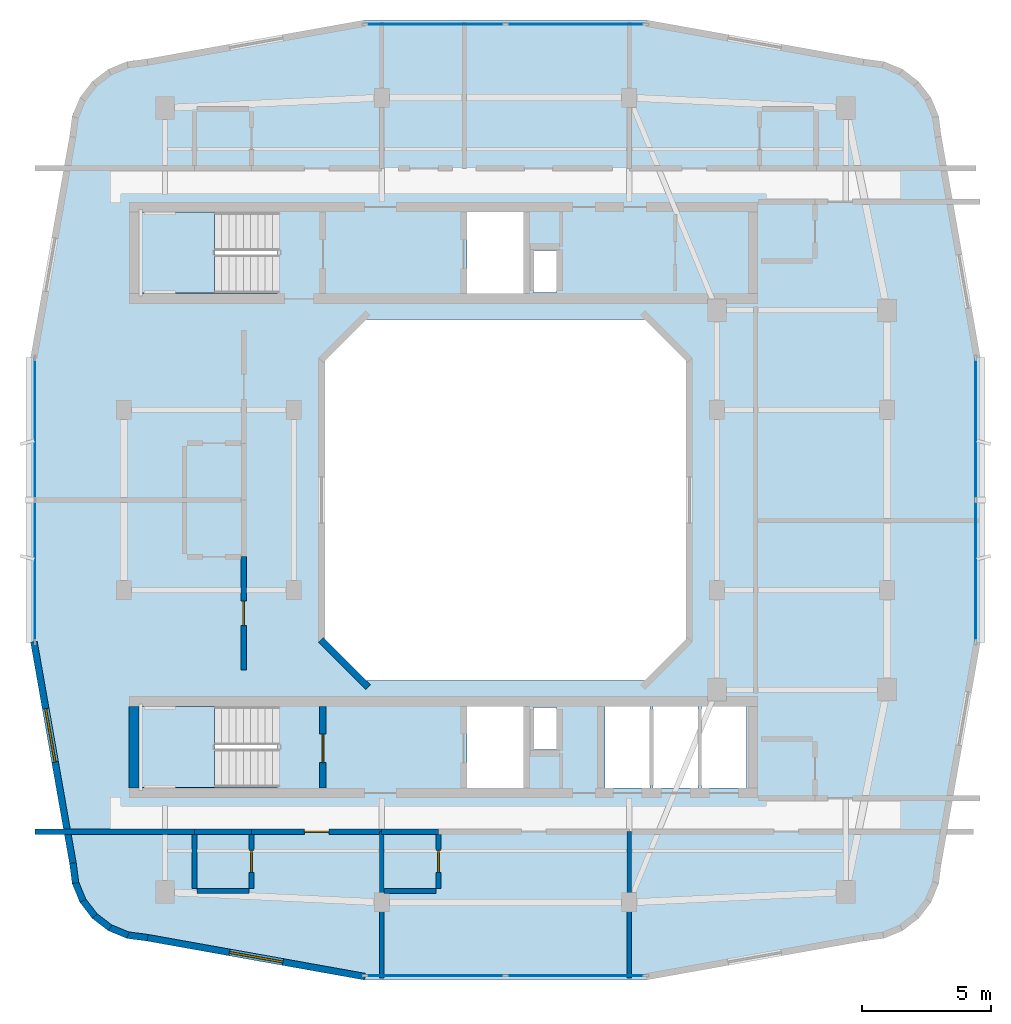
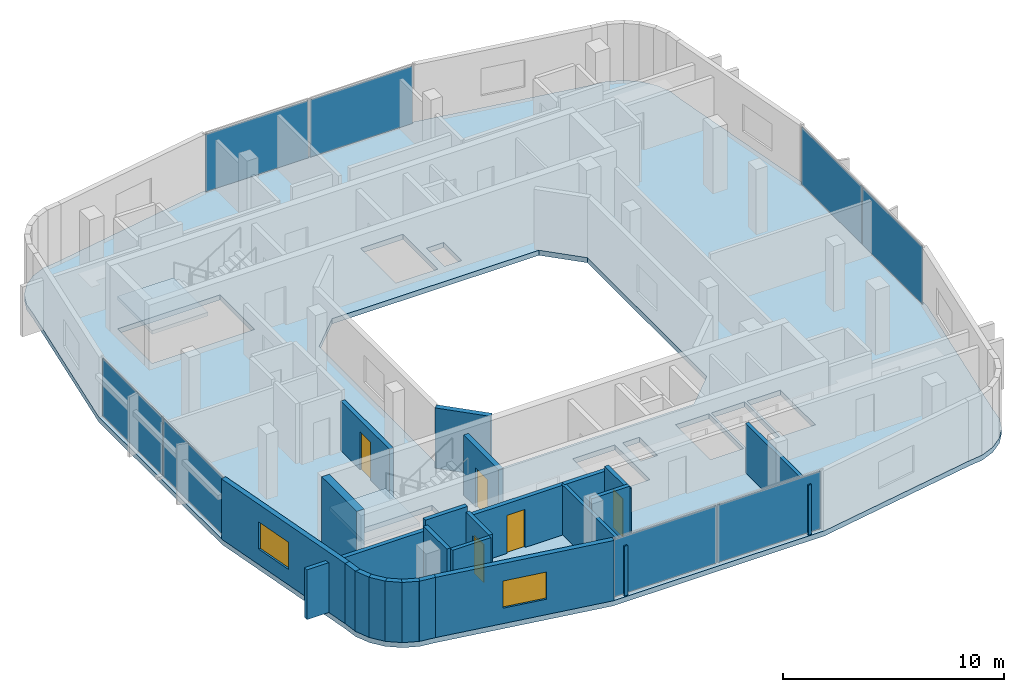
# One storey, part 4 of 10: 23 walls, 8 plates, 5 doors, 3 slabs, 2 windows, 7 openings, 6 elements without a shape of their own.
"""IFC4 building model written with IfcOpenShell, lengths in metres."""

from ifc_helpers import new_model, si_unit, derived_unit, direction, frame, frame_2d, origin, origin_2d, place, context, subcontext, project, spatial, polyline, rectangle, outline, extrude, material, layer, layer_set, type_object, element, fill, aggregate, save


model = new_model("IFC4")

# Units and contexts
model_context = context("Model", 3, precision=1e-05, world=origin(), true_north=direction((0.0, 1.0)))
body_context = subcontext(model_context, "Body", "Model", "MODEL_VIEW")
ifc_project = project(units=[si_unit("LENGTHUNIT", "METRE"), si_unit("AREAUNIT", "SQUARE_METRE"), si_unit("VOLUMEUNIT", "CUBIC_METRE"), si_unit("PLANEANGLEUNIT", "RADIAN"), si_unit("MASSUNIT", "GRAM", prefix="KILO"), derived_unit("THERMALTRANSMITTANCEUNIT", [(si_unit("POWERUNIT", "WATT"), 1), (si_unit("LENGTHUNIT", "METRE"), -2), (si_unit("THERMODYNAMICTEMPERATUREUNIT", "KELVIN"), -1)])], contexts=[model_context])

# Site, building, storey
site_placement = place(None, origin())
site = spatial("IfcSite", under=ifc_project, at=site_placement, CompositionType="ELEMENT")
building_placement = place(site_placement, origin())
building = spatial("IfcBuilding", under=site, at=building_placement, Name="Kivonza Crest Hotel", CompositionType="ELEMENT")
storey_placement = place(building_placement, frame((0.0, 0.0, 246.800048828125)))
storey = spatial("IfcBuildingStorey", under=building, at=storey_placement, Name="L67", CompositionType="ELEMENT", Elevation=246.800048828125)

# Curtain wall, plates
ifc_material_1 = material(Name="Anodised bronze aluminium and low-E double glazing", Category="aluminium")
ifc_layer_1 = layer(ifc_material_1, 0.179931640625)
ifc_layer_set_1 = layer_set([ifc_layer_1], Name="Anodised bronze aluminium and low-E double glazing")
curtain_wall_type = type_object("IfcCurtainWallType", Name="CW-SYS-3", PredefinedType="NOTDEFINED", material=ifc_layer_set_1)
curtain_wall_1_placement = place(storey_placement, origin())
curtain_wall_1 = element("IfcCurtainWall", 1, at=curtain_wall_1_placement, inside=storey, type_object=curtain_wall_type, Name="L67 unitised curtain wall CW-T1-L67-08", PredefinedType="NOTDEFINED")
ifc_material_2 = material(Name="Acoustic triple-laminated low-E glazing", Category="glass")
ifc_layer_2 = layer(ifc_material_2, 0.035888671875)
ifc_layer_set_2 = layer_set([ifc_layer_2], Name="Acoustic triple-laminated low-E glazing")
plate_type = type_object("IfcPlateType", Name="CW-PNL-36", PredefinedType="CURTAIN_PANEL", material=ifc_layer_set_2)
plate_1_placement = place(storey_placement, frame((18.27880859375, 6.56005859375, 0.074951171875), z_axis=(0.0, 0.0, 1.0), x_axis=(1.0, 0.0, 0.0)))
plate_1 = element("IfcPlate", 2, at=plate_1_placement, type_object=plate_type, Name="CW-3 panel 1.1", PredefinedType="CURTAIN_PANEL", context=body_context, shape_type="SweptSolid", body=[
    extrude(rectangle(XDim=5.367431640625, YDim=0.035888671875, at=origin_2d()), origin(), (0.0, 0.0, 1.0), 3.169921875),
])
plate_2_placement = place(storey_placement, frame((23.72119140625, 6.56005859375, 0.074951171875), z_axis=(0.0, 0.0, 1.0), x_axis=(1.0, 0.0, 0.0)))
plate_2 = element("IfcPlate", 3, at=plate_2_placement, type_object=plate_type, Name="CW-3 panel 2.1", PredefinedType="CURTAIN_PANEL", context=body_context, shape_type="SweptSolid", body=[
    extrude(rectangle(XDim=5.367431640625, YDim=0.035888671875, at=origin_2d()), origin(), (0.0, 0.0, 1.0), 3.169921875),
])
aggregate(curtain_wall_1, [plate_1, plate_2])

curtain_wall_2_placement = place(storey_placement, origin())
curtain_wall_2 = element("IfcCurtainWall", 4, at=curtain_wall_2_placement, inside=storey, type_object=curtain_wall_type, Name="L67 unitised curtain wall CW-T1-L67-17", PredefinedType="NOTDEFINED")
plate_3_placement = place(storey_placement, frame((39.239990234375, 22.248779296875, 0.074951171875), z_axis=(0.0, 0.0, 1.0), x_axis=(0.0, 1.0, 0.0)))
plate_3 = element("IfcPlate", 5, at=plate_3_placement, type_object=plate_type, Name="CW-3 panel 1.1", PredefinedType="CURTAIN_PANEL", context=body_context, shape_type="SweptSolid", body=[
    extrude(rectangle(XDim=5.427490234375, YDim=0.035888671875, at=origin_2d()), origin(), (0.0, 0.0, 1.0), 3.169921875),
])
plate_4_placement = place(storey_placement, frame((39.239990234375, 27.751220703125, 0.074951171875), z_axis=(0.0, 0.0, 1.0), x_axis=(0.0, 1.0, 0.0)))
plate_4 = element("IfcPlate", 6, at=plate_4_placement, type_object=plate_type, Name="CW-3 panel 2.1", PredefinedType="CURTAIN_PANEL", context=body_context, shape_type="SweptSolid", body=[
    extrude(rectangle(XDim=5.427490234375, YDim=0.035888671875, at=origin_2d()), origin(), (0.0, 0.0, 1.0), 3.169921875),
])
aggregate(curtain_wall_2, [plate_3, plate_4])

curtain_wall_3_placement = place(storey_placement, origin())
curtain_wall_3 = element("IfcCurtainWall", 7, at=curtain_wall_3_placement, inside=storey, type_object=curtain_wall_type, Name="L67 unitised curtain wall CW-T1-L67-26", PredefinedType="NOTDEFINED")
plate_5_placement = place(storey_placement, frame((23.72119140625, 43.43994140625, 0.074951171875), z_axis=(0.0, 0.0, 1.0), x_axis=(-1.0, 0.0, 0.0)))
plate_5 = element("IfcPlate", 8, at=plate_5_placement, type_object=plate_type, Name="CW-3 panel 1.1", PredefinedType="CURTAIN_PANEL", context=body_context, shape_type="SweptSolid", body=[
    extrude(rectangle(XDim=5.367431640625, YDim=0.035888671875, at=origin_2d()), origin(), (0.0, 0.0, 1.0), 3.169921875),
])
plate_6_placement = place(storey_placement, frame((18.27880859375, 43.43994140625, 0.074951171875), z_axis=(0.0, 0.0, 1.0), x_axis=(-1.0, 0.0, 0.0)))
plate_6 = element("IfcPlate", 9, at=plate_6_placement, type_object=plate_type, Name="CW-3 panel 2.1", PredefinedType="CURTAIN_PANEL", context=body_context, shape_type="SweptSolid", body=[
    extrude(rectangle(XDim=5.367431640625, YDim=0.035888671875, at=origin_2d()), origin(), (0.0, 0.0, 1.0), 3.169921875),
])
aggregate(curtain_wall_3, [plate_5, plate_6])

curtain_wall_4_placement = place(storey_placement, origin())
curtain_wall_4 = element("IfcCurtainWall", 10, at=curtain_wall_4_placement, inside=storey, type_object=curtain_wall_type, Name="L67 unitised curtain wall CW-T1-L67-35", PredefinedType="NOTDEFINED")
plate_7_placement = place(storey_placement, frame((2.760009765625, 27.751220703125, 0.074951171875), z_axis=(0.0, 0.0, 1.0), x_axis=(0.0, -1.0, 0.0)))
plate_7 = element("IfcPlate", 11, at=plate_7_placement, type_object=plate_type, Name="CW-3 panel 1.1", PredefinedType="CURTAIN_PANEL", context=body_context, shape_type="SweptSolid", body=[
    extrude(rectangle(XDim=5.427490234375, YDim=0.035888671875, at=origin_2d()), origin(), (0.0, 0.0, 1.0), 3.169921875),
])
plate_8_placement = place(storey_placement, frame((2.760009765625, 22.248779296875, 0.074951171875), z_axis=(0.0, 0.0, 1.0), x_axis=(0.0, -1.0, 0.0)))
plate_8 = element("IfcPlate", 12, at=plate_8_placement, type_object=plate_type, Name="CW-3 panel 2.1", PredefinedType="CURTAIN_PANEL", context=body_context, shape_type="SweptSolid", body=[
    extrude(rectangle(XDim=5.427490234375, YDim=0.035888671875, at=origin_2d()), origin(), (0.0, 0.0, 1.0), 3.169921875),
])
aggregate(curtain_wall_4, [plate_7, plate_8])

# Slab
ifc_material_3 = material(Name="Concrete C40/50", Category="concrete")
ifc_layer_3 = layer(ifc_material_3, 0.280029296875)
ifc_layer_set_3 = layer_set([ifc_layer_3], Name="Concrete C40/50")
slab_type_1 = type_object("IfcSlabType", Name="SL-HTL-280", PredefinedType="FLOOR", material=ifc_layer_set_3)
slab_1_placement = place(storey_placement, frame((0.0, 0.0, -0.280029296875)))
element("IfcSlab", 13, at=slab_1_placement, inside=storey, type_object=slab_type_1, Name="Tower T1 L67 floor slab", PredefinedType="FLOOR", context=body_context, shape_type="SweptSolid", body=[
    extrude(outline(polyline([(4.10009765625, 10.89990234375), (4.201904296875, 10.1240234375), (4.501953125, 9.39990234375), (4.97900390625, 8.779052734375), (5.60009765625, 8.302001953125), (6.323974609375, 8.001953125), (7.10009765625, 7.89990234375), (15.47998046875, 6.39990234375), (26.52001953125, 6.39990234375), (34.89990234375, 7.89990234375), (35.676025390625, 8.001953125), (36.39990234375, 8.302001953125), (37.02099609375, 8.779052734375), (37.498046875, 9.39990234375), (37.798095703125, 10.1240234375), (37.89990234375, 10.89990234375), (39.39990234375, 19.419921875), (39.39990234375, 30.580078125), (37.89990234375, 39.10009765625), (37.798095703125, 39.8759765625), (37.498046875, 40.60009765625), (37.02099609375, 41.220947265625), (36.39990234375, 41.697998046875), (35.676025390625, 41.998046875), (34.89990234375, 42.10009765625), (26.52001953125, 43.60009765625), (15.47998046875, 43.60009765625), (7.10009765625, 42.10009765625), (6.323974609375, 41.998046875), (5.60009765625, 41.697998046875), (4.97900390625, 41.220947265625), (4.501953125, 40.60009765625), (4.201904296875, 39.8759765625), (4.10009765625, 39.10009765625), (2.60009765625, 30.580078125), (2.60009765625, 19.419921875), (4.10009765625, 10.89990234375)]), holes=[polyline([(15.60009765625, 18.0), (26.39990234375, 18.0), (28.0, 19.60009765625), (28.0, 30.39990234375), (26.39990234375, 32.0), (15.60009765625, 32.0), (14.0, 30.39990234375), (14.0, 19.60009765625), (15.60009765625, 18.0)]), polyline([(6.800048828125, 33.02001953125), (12.159912109375, 33.02001953125), (12.159912109375, 36.159912109375), (6.800048828125, 36.159912109375), (6.800048828125, 33.02001953125)]), polyline([(6.800048828125, 13.860107421875), (12.159912109375, 13.860107421875), (12.159912109375, 17.0), (6.800048828125, 17.0), (6.800048828125, 13.860107421875)]), polyline([(22.080078125, 33.0400390625), (22.969970703125, 33.0400390625), (22.969970703125, 34.679931640625), (22.080078125, 34.679931640625), (22.080078125, 33.0400390625)]), polyline([(22.080078125, 15.320068359375), (22.969970703125, 15.320068359375), (22.969970703125, 16.9599609375), (22.080078125, 16.9599609375), (22.080078125, 15.320068359375)]), polyline([(19.5, 33.0), (21.699951171875, 33.0), (21.699951171875, 36.159912109375), (19.5, 36.159912109375), (19.5, 33.0)]), polyline([(19.5, 13.840087890625), (21.699951171875, 13.840087890625), (21.699951171875, 17.0), (19.5, 17.0), (19.5, 13.840087890625)]), polyline([(24.860107421875, 13.840087890625), (26.60693359375, 13.840087890625), (26.60693359375, 17.0), (24.860107421875, 17.0), (24.860107421875, 13.840087890625)]), polyline([(26.72705078125, 13.840087890625), (28.472900390625, 13.840087890625), (28.472900390625, 17.0), (26.72705078125, 17.0), (26.72705078125, 13.840087890625)]), polyline([(28.593017578125, 13.840087890625), (30.340087890625, 13.840087890625), (30.340087890625, 17.0), (28.593017578125, 17.0), (28.593017578125, 13.840087890625)])]), origin(), (0.0, 0.0, 1.0), 0.280029296875),
])

# Stair, slab
stair_type = type_object("IfcStairType", Name="ST-DL-20R", PredefinedType="HALF_TURN_STAIR", material=ifc_material_3)
stair_1_placement = place(storey_placement, origin())
stair_1 = element("IfcStair", 14, at=stair_1_placement, inside=storey, type_object=stair_type, Name="L67 Protected Exit Stair ST-T1-N", PredefinedType="HALF_TURN_STAIR")
ifc_layer_4 = layer(ifc_material_3, 0.199951171875)
ifc_layer_set_4 = layer_set([ifc_layer_4], Name="Concrete C40/50")
slab_type_2 = type_object("IfcSlabType", Name="SL-LAND-200", PredefinedType="LANDING", material=ifc_layer_set_4)
slab_2_placement = place(storey_placement, frame((0.0, 0.0, 1.599853515625)))
slab_2 = element("IfcSlab", 15, at=slab_2_placement, type_object=slab_type_2, Name="ST-T1-N landing 1", PredefinedType="LANDING", context=body_context, shape_type="SweptSolid", body=[
    extrude(outline(polyline([(9.719970703125, 36.159912109375), (6.800048828125, 36.159912109375), (6.800048828125, 33.02001953125), (9.719970703125, 33.02001953125), (9.719970703125, 36.159912109375)])), origin(), (0.0, 0.0, 1.0), 0.2001953125),
])
aggregate(stair_1, [slab_2])

stair_2_placement = place(storey_placement, origin())
stair_2 = element("IfcStair", 16, at=stair_2_placement, inside=storey, type_object=stair_type, Name="L67 Protected Exit Stair ST-T1-S", PredefinedType="HALF_TURN_STAIR")
slab_3_placement = place(storey_placement, frame((0.0, 0.0, 1.599853515625)))
slab_3 = element("IfcSlab", 17, at=slab_3_placement, type_object=slab_type_2, Name="ST-T1-S landing 1", PredefinedType="LANDING", context=body_context, shape_type="SweptSolid", body=[
    extrude(outline(polyline([(9.719970703125, 17.0), (6.800048828125, 17.0), (6.800048828125, 13.860107421875), (9.719970703125, 13.860107421875), (9.719970703125, 17.0)])), origin(), (0.0, 0.0, 1.0), 0.2001953125),
])
aggregate(stair_2, [slab_3])

# Walls
ifc_material_4 = material(Name="High-density acoustic masonry inter-tenancy wall", Category="masonry")
ifc_layer_5 = layer(ifc_material_4, 0.179931640625)
ifc_layer_set_5 = layer_set([ifc_layer_5], Name="High-density acoustic masonry inter-tenancy wall")
wall_type_1 = type_object("IfcWallType", Name="WL-ACOU-180", PredefinedType="SOLIDWALL", material=ifc_layer_set_5)
for number, where, z_axis, x_axis, name in (
    (18, (16.199951171875, 6.4599609375, 0.0), (0.0, 0.0, 1.0), (0.0, 1.0, 0.0), "L67 interior partition WA-L67-T1S-DIV1"),
    (19, (25.800048828125, 6.4599609375, 0.0), (0.0, 0.0, 1.0), (0.0, 1.0, 0.0), "L67 interior partition WA-L67-T1S-DIV2"),
):
    element("IfcWall", number, at=place(storey_placement, frame(where, z_axis=z_axis, x_axis=x_axis)), inside=storey, type_object=wall_type_1, Name=name, PredefinedType="SOLIDWALL", context=body_context, shape_type="SweptSolid", body=[
        extrude(rectangle(XDim=5.679931640625, YDim=0.179931640625, at=frame_2d((2.83984375, 0.0))), origin(), (0.0, 0.0, 1.0), 2.744873046875),
    ])
ifc_material_5 = material(Name="Autoclaved aerated concrete blockwork", Category="masonry")
ifc_layer_6 = layer(ifc_material_5, 0.219970703125)
ifc_layer_set_6 = layer_set([ifc_layer_6], Name="Autoclaved aerated concrete blockwork")
wall_type_2 = type_object("IfcWallType", Name="WL-ACOU-220", PredefinedType="SOLIDWALL", material=ifc_layer_set_6)
wall_1_placement = place(storey_placement, frame((2.760009765625, 12.139892578125, 0.0), z_axis=(0.0, 0.0, 1.0), x_axis=(1.0, 0.0, 0.0)))
element("IfcWall", 20, at=wall_1_placement, inside=storey, type_object=wall_type_2, Name="L67 interior partition WA-L67-S03-XCORR", PredefinedType="SOLIDWALL", context=body_context, shape_type="SweptSolid", body=[
    extrude(rectangle(XDim=6.18994140625, YDim=0.219970703125, at=frame_2d((3.094970703125, 0.0))), origin(), (0.0, 0.0, 1.0), 2.744873046875),
])
wall_2_placement = place(storey_placement, frame((8.949951171875, 12.139892578125, 0.0), z_axis=(0.0, 0.0, 1.0), x_axis=(1.0, 0.0, 0.0)))
element("IfcWall", 21, at=wall_2_placement, inside=storey, type_object=wall_type_2, Name="L67 interior partition WA-L67-S03-BCORR", PredefinedType="SOLIDWALL", context=body_context, shape_type="SweptSolid", body=[
    extrude(rectangle(XDim=2.199951171875, YDim=0.219970703125, at=frame_2d((1.10009765625, 0.0))), origin(), (0.0, 0.0, 1.0), 3.320068359375),
])

# Wall, opening, door
wall_3_placement = place(storey_placement, frame((11.14990234375, 12.139892578125, 0.0), z_axis=(0.0, 0.0, 1.0), x_axis=(1.0, 0.0, 0.0)))
wall_3 = element("IfcWall", 22, at=wall_3_placement, inside=storey, type_object=wall_type_2, Name="L67 interior partition WA-L67-S03-MCORR", PredefinedType="SOLIDWALL", context=body_context, shape_type="SweptSolid", body=[
    extrude(rectangle(XDim=5.050048828125, YDim=0.219970703125, at=frame_2d((2.52490234375, 0.0))), origin(), (0.0, 0.0, 1.0), 2.744873046875),
])
opening_1_placement = place(wall_3_placement, frame((2.050048828125, 0.0, 0.0)))
opening_1 = element("IfcOpeningElement", 23, at=opening_1_placement, cuts=wall_3, Name="Opening DU-60", PredefinedType="OPENING", context=body_context, shape_type="SweptSolid", body=[
    extrude(rectangle(XDim=0.949951171875, YDim=2.10009765625, at=frame_2d((0.47509765625, 1.050048828125))), frame((0.0, 0.1201171875, 0.0), z_axis=(0.0, -1.0, 0.0), x_axis=(1.0, 0.0, 0.0)), (0.0, 0.0, 1.0), 0.239990234375),
])
ifc_material_6 = material(Name="Hardwood timber oak", Category="wood")
door_type_1 = type_object("IfcDoorType", Name="DR-UNIT-950", OperationType="NOTDEFINED", PredefinedType="DOOR", material=ifc_material_6)
door_1_placement = place(opening_1_placement, frame((0.949951171875, 0.0, 0.0), z_axis=(0.0, 0.0, 1.0), x_axis=(-1.0, 0.0, 0.0)))
door_1 = element("IfcDoor", 24, at=door_1_placement, inside=storey, type_object=door_type_1, Name="L67 S03 guest unit entrance fire door", OperationType="SINGLE_SWING_LEFT", OverallHeight=2.10009765625, OverallWidth=0.949951171875, PredefinedType="DOOR", context=body_context, shape_type="SweptSolid", body=[
    extrude(rectangle(XDim=0.949951171875, YDim=2.10009765625, at=frame_2d((0.47509765625, 1.050048828125))), frame((0.0, 0.02490234375, 0.0), z_axis=(0.0, -1.0, 0.0), x_axis=(1.0, 0.0, 0.0)), (0.0, 0.0, 1.0), 0.050048828125),
])
fill(opening_1, door_1)

# Wall
wall_4_placement = place(storey_placement, frame((16.199951171875, 12.139892578125, 0.0), z_axis=(0.0, 0.0, 1.0), x_axis=(1.0, 0.0, 0.0)))
element("IfcWall", 25, at=wall_4_placement, inside=storey, type_object=wall_type_2, Name="L67 interior partition WA-L67-S04-BCORR", PredefinedType="SOLIDWALL", context=body_context, shape_type="SweptSolid", body=[
    extrude(rectangle(XDim=2.199951171875, YDim=0.219970703125, at=frame_2d((1.10009765625, 0.0))), origin(), (0.0, 0.0, 1.0), 2.744873046875),
])

# Wall, opening, door
wall_5_placement = place(storey_placement, frame((10.85009765625, 18.39990234375, 0.0), z_axis=(0.0, 0.0, 1.0), x_axis=(0.0, 1.0, 0.0)))
wall_5 = element("IfcWall", 26, at=wall_5_placement, inside=storey, type_object=wall_type_2, Name="L67 interior partition WA-L67-W05-MCORR", PredefinedType="SOLIDWALL", context=body_context, shape_type="SweptSolid", body=[
    extrude(rectangle(XDim=4.400146484375, YDim=0.219970703125, at=frame_2d((2.2001953125, 0.0))), origin(), (0.0, 0.0, 1.0), 2.744873046875),
])
opening_2_placement = place(wall_5_placement, frame((1.72509765625, 0.0, 0.0)))
opening_2 = element("IfcOpeningElement", 27, at=opening_2_placement, cuts=wall_5, Name="Opening DU-60", PredefinedType="OPENING", context=body_context, shape_type="SweptSolid", body=[
    extrude(rectangle(XDim=0.949951171875, YDim=2.10009765625, at=frame_2d((0.47509765625, 1.050048828125))), frame((0.0, 0.1201171875, 0.0), z_axis=(0.0, -1.0, 0.0), x_axis=(1.0, 0.0, 0.0)), (0.0, 0.0, 1.0), 0.239990234375),
])
door_2_placement = place(opening_2_placement, origin())
door_2 = element("IfcDoor", 28, at=door_2_placement, inside=storey, type_object=door_type_1, Name="L67 W05 guest unit entrance fire door", OperationType="SINGLE_SWING_LEFT", OverallHeight=2.10009765625, OverallWidth=0.949951171875, PredefinedType="DOOR", context=body_context, shape_type="SweptSolid", body=[
    extrude(rectangle(XDim=0.949951171875, YDim=2.10009765625, at=frame_2d((0.47509765625, 1.050048828125))), frame((0.0, 0.02490234375, 0.0), z_axis=(0.0, -1.0, 0.0), x_axis=(1.0, 0.0, 0.0)), (0.0, 0.0, 1.0), 0.050048828125),
])
fill(opening_2, door_2)

# Walls
ifc_material_7 = material(Name="Concrete C50/60", Category="concrete")
ifc_layer_7 = layer(ifc_material_7, 0.39990234375)
ifc_layer_set_7 = layer_set([ifc_layer_7], Name="Concrete C50/60")
wall_type_3 = type_object("IfcWallType", Name="WL-CORE-400", PredefinedType="SHEAR", material=ifc_layer_set_7)
wall_6_placement = place(storey_placement, frame((6.60009765625, 13.840087890625, 0.0), z_axis=(0.0, 0.0, 1.0), x_axis=(0.0, 1.0, 0.0)))
element("IfcWall", 29, at=wall_6_placement, inside=storey, type_object=wall_type_3, Name="Core wall T1-S West L67", PredefinedType="SHEAR", context=body_context, shape_type="SweptSolid", body=[
    extrude(rectangle(XDim=3.159912109375, YDim=0.39990234375, at=frame_2d((1.580078125, 0.0))), origin(), (0.0, 0.0, 1.0), 3.599853515625),
])
ifc_material_8 = material(Name="Precast concrete C40/50", Category="concrete")
ifc_layer_8 = layer(ifc_material_8, 0.260009765625)
ifc_layer_set_8 = layer_set([ifc_layer_8], Name="Precast concrete C40/50")
wall_type_4 = type_object("IfcWallType", Name="WL-EXT-260", PredefinedType="STANDARD", material=ifc_layer_set_8)
wall_7_placement = place(storey_placement, frame((4.22802734375, 10.925048828125, 0.0), z_axis=(0.0, 0.0, 1.0), x_axis=(0.130689052056, -0.991423406861, 0.0)))
element("IfcWall", 30, at=wall_7_placement, inside=storey, type_object=wall_type_4, Name="L67 T1 exterior insulated wall 1", PredefinedType="STANDARD", context=body_context, shape_type="SweptSolid", body=[
    extrude(rectangle(XDim=0.78076171875, YDim=0.260009765625, at=frame_2d((0.390380859375, 0.0))), origin(), (0.0, 0.0, 1.0), 3.320068359375),
])
wall_8_placement = place(storey_placement, frame((4.31201171875, 10.197021484375, 0.0), z_axis=(0.0, 0.0, 1.0), x_axis=(0.382900540965, -0.923789573295, 0.0)))
element("IfcWall", 31, at=wall_8_placement, inside=storey, type_object=wall_type_4, Name="L67 T1 exterior insulated wall 2", PredefinedType="STANDARD", context=body_context, shape_type="SweptSolid", body=[
    extrude(rectangle(XDim=0.798828125, YDim=0.260009765625, at=frame_2d((0.3994140625, 0.0))), origin(), (0.0, 0.0, 1.0), 3.320068359375),
])
wall_9_placement = place(storey_placement, frame((4.590087890625, 9.4990234375, 0.0), z_axis=(0.0, 0.0, 1.0), x_axis=(0.608823262828, -0.793305889705, 0.0)))
element("IfcWall", 32, at=wall_9_placement, inside=storey, type_object=wall_type_4, Name="L67 T1 exterior insulated wall 3", PredefinedType="STANDARD", context=body_context, shape_type="SweptSolid", body=[
    extrude(rectangle(XDim=0.798095703125, YDim=0.260009765625, at=frame_2d((0.39892578125, 0.0))), origin(), (0.0, 0.0, 1.0), 3.320068359375),
])
wall_10_placement = place(storey_placement, frame((5.0380859375, 8.89697265625, 0.0), z_axis=(0.0, 0.0, 1.0), x_axis=(0.793044635519, -0.60916352983, 0.0)))
element("IfcWall", 33, at=wall_10_placement, inside=storey, type_object=wall_type_4, Name="L67 T1 exterior insulated wall 4", PredefinedType="STANDARD", context=body_context, shape_type="SweptSolid", body=[
    extrude(rectangle(XDim=0.7978515625, YDim=0.260009765625, at=frame_2d((0.39892578125, 0.0))), origin(), (0.0, 0.0, 1.0), 3.320068359375),
])
wall_11_placement = place(storey_placement, frame((5.626953125, 8.431884765625, 0.0), z_axis=(0.0, 0.0, 1.0), x_axis=(0.923789573295, -0.382900540965, 0.0)))
element("IfcWall", 34, at=wall_11_placement, inside=storey, type_object=wall_type_4, Name="L67 T1 exterior insulated wall 5", PredefinedType="STANDARD", context=body_context, shape_type="SweptSolid", body=[
    extrude(rectangle(XDim=0.798828125, YDim=0.260009765625, at=frame_2d((0.3994140625, 0.0))), origin(), (0.0, 0.0, 1.0), 3.320068359375),
])
wall_12_placement = place(storey_placement, frame((6.31591796875, 8.134033203125, 0.0), z_axis=(0.0, 0.0, 1.0), x_axis=(0.99153354416, -0.129850802102, 0.0)))
element("IfcWall", 35, at=wall_12_placement, inside=storey, type_object=wall_type_4, Name="L67 T1 exterior insulated wall 6", PredefinedType="STANDARD", context=body_context, shape_type="SweptSolid", body=[
    extrude(rectangle(XDim=0.81591796875, YDim=0.260009765625, at=frame_2d((0.407958984375, 0.0))), origin(), (0.0, 0.0, 1.0), 3.320068359375),
])

# Wall, opening, window
wall_13_placement = place(storey_placement, frame((7.114990234375, 8.029052734375, 0.0), z_axis=(0.0, 0.0, 1.0), x_axis=(0.98435676639, -0.176186709098, 0.0)))
wall_13 = element("IfcWall", 36, at=wall_13_placement, inside=storey, type_object=wall_type_4, Name="L67 T1 exterior insulated wall 7", PredefinedType="STANDARD", context=body_context, shape_type="SweptSolid", body=[
    extrude(rectangle(XDim=8.576171875, YDim=0.260009765625, at=frame_2d((4.2880859375, 0.0))), origin(), (0.0, 0.0, 1.0), 3.320068359375),
])
opening_3_placement = place(wall_13_placement, frame((3.238037109375, 0.0, 0.85009765625)))
opening_3 = element("IfcOpeningElement", 37, at=opening_3_placement, cuts=wall_13, Name="Opening WN-04", PredefinedType="OPENING", context=body_context, shape_type="SweptSolid", body=[
    extrude(rectangle(XDim=2.10009765625, YDim=1.5, at=frame_2d((1.050048828125, 0.75))), frame((0.0, 0.14013671875, 0.0), z_axis=(0.0, -1.0, 0.0), x_axis=(1.0, 0.0, 0.0)), (0.0, 0.0, 1.0), 0.280029296875),
])
ifc_material_9 = material(Name="Thermally broken bronze aluminium and low-E double glazing", Category="aluminium")
window_type = type_object("IfcWindowType", Name="WN-210x150", PartitioningType="DOUBLE_PANEL_VERTICAL", PredefinedType="WINDOW", material=ifc_material_9)
window_1_placement = place(opening_3_placement, origin())
window_1 = element("IfcWindow", 38, at=window_1_placement, inside=storey, type_object=window_type, Name="L67 T1 facade window 7", OverallHeight=1.5, OverallWidth=2.10009765625, PartitioningType="SINGLE_PANEL", PredefinedType="WINDOW", context=body_context, shape_type="SweptSolid", body=[
    extrude(rectangle(XDim=2.10009765625, YDim=1.5, at=frame_2d((1.050048828125, 0.75))), frame((0.0, 0.030029296875, 0.0), z_axis=(0.0, -1.0, 0.0), x_axis=(1.0, 0.0, 0.0)), (0.0, 0.0, 1.0), 0.06005859375),
])
fill(opening_3, window_1)

wall_14_placement = place(storey_placement, frame((2.718017578125, 19.4970703125, 0.0), z_axis=(0.0, 0.0, 1.0), x_axis=(0.173396937698, -0.984852020355, 0.0)))
wall_14 = element("IfcWall", 39, at=wall_14_placement, inside=storey, type_object=wall_type_4, Name="L67 T1 exterior insulated wall 36", PredefinedType="STANDARD", context=body_context, shape_type="SweptSolid", body=[
    extrude(rectangle(XDim=8.714111328125, YDim=0.260009765625, at=frame_2d((4.35693359375, 0.0))), origin(), (0.0, 0.0, 1.0), 3.320068359375),
])
opening_4_placement = place(wall_14_placement, frame((2.626953125, 0.0, 0.85009765625)))
opening_4 = element("IfcOpeningElement", 40, at=opening_4_placement, cuts=wall_14, Name="Opening WN-04", PredefinedType="OPENING", context=body_context, shape_type="SweptSolid", body=[
    extrude(rectangle(XDim=2.10009765625, YDim=1.5, at=frame_2d((1.050048828125, 0.75))), frame((0.0, 0.14013671875, 0.0), z_axis=(0.0, -1.0, 0.0), x_axis=(1.0, 0.0, 0.0)), (0.0, 0.0, 1.0), 0.280029296875),
])
window_2_placement = place(opening_4_placement, origin())
window_2 = element("IfcWindow", 41, at=window_2_placement, inside=storey, type_object=window_type, Name="L67 T1 facade window 36", OverallHeight=1.5, OverallWidth=2.10009765625, PartitioningType="SINGLE_PANEL", PredefinedType="WINDOW", context=body_context, shape_type="SweptSolid", body=[
    extrude(rectangle(XDim=2.10009765625, YDim=1.5, at=frame_2d((1.050048828125, 0.75))), frame((0.0, 0.030029296875, 0.0), z_axis=(0.0, -1.0, 0.0), x_axis=(1.0, 0.0, 0.0)), (0.0, 0.0, 1.0), 0.06005859375),
])
fill(opening_4, window_2)

# Wall
wall_15_placement = place(storey_placement, frame((13.843994140625, 19.572021484375, 0.0), z_axis=(0.0, 0.0, 1.0), x_axis=(0.707106781187, -0.707106781187, 0.0)))
element("IfcWall", 42, at=wall_15_placement, inside=storey, type_object=wall_type_4, Name="L67 T1 light-well exterior wall 8", PredefinedType="STANDARD", context=body_context, shape_type="SweptSolid", body=[
    extrude(rectangle(XDim=2.59375, YDim=0.260009765625, at=frame_2d((1.296875, 0.0))), origin(), (0.0, 0.0, 1.0), 3.320068359375),
])

# Wall, opening, door
ifc_material_10 = material(Name="Moisture-resistant plumbing chase partition wall", Category="gypsum")
ifc_layer_9 = layer(ifc_material_10, 0.199951171875)
ifc_layer_set_9 = layer_set([ifc_layer_9], Name="Moisture-resistant plumbing chase partition wall")
wall_type_5 = type_object("IfcWallType", Name="WL-PLUMB-200", PredefinedType="PLUMBINGWALL", material=ifc_layer_set_9)
wall_16_placement = place(storey_placement, frame((11.14990234375, 9.93994140625, 0.0), z_axis=(0.0, 0.0, 1.0), x_axis=(0.0, 1.0, 0.0)))
wall_16 = element("IfcWall", 43, at=wall_16_placement, inside=storey, type_object=wall_type_5, Name="L67 interior partition WW-L67-S03-BV", PredefinedType="PLUMBINGWALL", context=body_context, shape_type="SweptSolid", body=[
    extrude(rectangle(XDim=2.10009765625, YDim=0.199951171875, at=frame_2d((1.050048828125, 0.0))), origin(), (0.0, 0.0, 1.0), 3.02490234375),
])
opening_5_placement = place(wall_16_placement, frame((0.625, 0.0, 0.0)))
opening_5 = element("IfcOpeningElement", 44, at=opening_5_placement, cuts=wall_16, Name="Opening DI-85", PredefinedType="OPENING", context=body_context, shape_type="SweptSolid", body=[
    extrude(rectangle(XDim=0.85009765625, YDim=2.10009765625, at=frame_2d((0.425048828125, 1.050048828125))), frame((0.0, 0.10986328125, 0.0), z_axis=(0.0, -1.0, 0.0), x_axis=(1.0, 0.0, 0.0)), (0.0, 0.0, 1.0), 0.219970703125),
])
door_type_2 = type_object("IfcDoorType", Name="DR-INT-850", OperationType="NOTDEFINED", PredefinedType="DOOR", material=ifc_material_6)
door_3_placement = place(opening_5_placement, frame((0.85009765625, 0.0, 0.0), z_axis=(0.0, 0.0, 1.0), x_axis=(-1.0, 0.0, 0.0)))
door_3 = element("IfcDoor", 45, at=door_3_placement, inside=storey, type_object=door_type_2, Name="L67 S03 en-suite bathroom door", OperationType="SINGLE_SWING_RIGHT", OverallHeight=2.10009765625, OverallWidth=0.85009765625, PredefinedType="DOOR", context=body_context, shape_type="SweptSolid", body=[
    extrude(rectangle(XDim=0.85009765625, YDim=2.10009765625, at=frame_2d((0.425048828125, 1.050048828125))), frame((0.0, 0.02490234375, 0.0), z_axis=(0.0, -1.0, 0.0), x_axis=(1.0, 0.0, 0.0)), (0.0, 0.0, 1.0), 0.050048828125),
])
fill(opening_5, door_3)

# Walls
wall_17_placement = place(storey_placement, frame((9.050048828125, 9.840087890625, 0.0), z_axis=(0.0, 0.0, 1.0), x_axis=(1.0, 0.0, 0.0)))
element("IfcWall", 46, at=wall_17_placement, inside=storey, type_object=wall_type_5, Name="L67 interior partition WW-L67-S03-BH", PredefinedType="PLUMBINGWALL", context=body_context, shape_type="SweptSolid", body=[
    extrude(rectangle(XDim=2.0, YDim=0.199951171875, at=frame_2d((1.0, 0.0))), origin(), (0.0, 0.0, 1.0), 3.014892578125),
])
wall_18_placement = place(storey_placement, frame((8.949951171875, 9.93994140625, 0.0), z_axis=(0.0, 0.0, 1.0), x_axis=(0.0, 1.0, 0.0)))
element("IfcWall", 47, at=wall_18_placement, inside=storey, type_object=wall_type_5, Name="L67 interior partition WW-L67-S03-BVW", PredefinedType="PLUMBINGWALL", context=body_context, shape_type="SweptSolid", body=[
    extrude(rectangle(XDim=2.10009765625, YDim=0.199951171875, at=frame_2d((1.050048828125, 0.0))), origin(), (0.0, 0.0, 1.0), 3.02490234375),
])

# Wall, opening, door
wall_19_placement = place(storey_placement, frame((18.39990234375, 9.93994140625, 0.0), z_axis=(0.0, 0.0, 1.0), x_axis=(0.0, 1.0, 0.0)))
wall_19 = element("IfcWall", 48, at=wall_19_placement, inside=storey, type_object=wall_type_5, Name="L67 interior partition WW-L67-S04-BV", PredefinedType="PLUMBINGWALL", context=body_context, shape_type="SweptSolid", body=[
    extrude(rectangle(XDim=2.10009765625, YDim=0.199951171875, at=frame_2d((1.050048828125, 0.0))), origin(), (0.0, 0.0, 1.0), 3.02490234375),
])
opening_6_placement = place(wall_19_placement, frame((0.625, 0.0, 0.0)))
opening_6 = element("IfcOpeningElement", 49, at=opening_6_placement, cuts=wall_19, Name="Opening DI-85", PredefinedType="OPENING", context=body_context, shape_type="SweptSolid", body=[
    extrude(rectangle(XDim=0.85009765625, YDim=2.10009765625, at=frame_2d((0.425048828125, 1.050048828125))), frame((0.0, 0.10986328125, 0.0), z_axis=(0.0, -1.0, 0.0), x_axis=(1.0, 0.0, 0.0)), (0.0, 0.0, 1.0), 0.219970703125),
])
door_4_placement = place(opening_6_placement, frame((0.85009765625, 0.0, 0.0), z_axis=(0.0, 0.0, 1.0), x_axis=(-1.0, 0.0, 0.0)))
door_4 = element("IfcDoor", 50, at=door_4_placement, inside=storey, type_object=door_type_2, Name="L67 S04 en-suite bathroom door", OperationType="SINGLE_SWING_LEFT", OverallHeight=2.10009765625, OverallWidth=0.85009765625, PredefinedType="DOOR", context=body_context, shape_type="SweptSolid", body=[
    extrude(rectangle(XDim=0.85009765625, YDim=2.10009765625, at=frame_2d((0.425048828125, 1.050048828125))), frame((0.0, 0.02490234375, 0.0), z_axis=(0.0, -1.0, 0.0), x_axis=(1.0, 0.0, 0.0)), (0.0, 0.0, 1.0), 0.050048828125),
])
fill(opening_6, door_4)

# Wall
wall_20_placement = place(storey_placement, frame((16.300048828125, 9.840087890625, 0.0), z_axis=(0.0, 0.0, 1.0), x_axis=(1.0, 0.0, 0.0)))
element("IfcWall", 51, at=wall_20_placement, inside=storey, type_object=wall_type_5, Name="L67 interior partition WW-L67-S04-BH", PredefinedType="PLUMBINGWALL", context=body_context, shape_type="SweptSolid", body=[
    extrude(rectangle(XDim=2.0, YDim=0.199951171875, at=frame_2d((1.0, 0.0))), origin(), (0.0, 0.0, 1.0), 3.320068359375),
])

# Wall, opening, door
ifc_layer_10 = layer(ifc_material_7, 0.25)
ifc_layer_set_10 = layer_set([ifc_layer_10], Name="Concrete C50/60")
wall_type_6 = type_object("IfcWallType", Name="WL-SHAFT-250", PredefinedType="STANDARD", material=ifc_layer_set_10)
wall_21_placement = place(storey_placement, frame((13.925048828125, 13.840087890625, 0.0), z_axis=(0.0, 0.0, 1.0), x_axis=(0.0, 1.0, 0.0)))
wall_21 = element("IfcWall", 52, at=wall_21_placement, inside=storey, type_object=wall_type_6, Name="Core shaft wall T1-S STAIR L67", PredefinedType="STANDARD", context=body_context, shape_type="SweptSolid", body=[
    extrude(rectangle(XDim=3.159912109375, YDim=0.25, at=frame_2d((1.580078125, 0.0))), origin(), (0.0, 0.0, 1.0), 3.320068359375),
])
opening_7_placement = place(wall_21_placement, frame((0.97998046875, 0.0, 0.0)))
opening_7 = element("IfcOpeningElement", 53, at=opening_7_placement, cuts=wall_21, Name="Opening DF-120", PredefinedType="OPENING", context=body_context, shape_type="SweptSolid", body=[
    extrude(rectangle(XDim=1.10009765625, YDim=2.14990234375, at=frame_2d((0.550048828125, 1.074951171875))), frame((0.0, 0.135009765625, 0.0), z_axis=(0.0, -1.0, 0.0), x_axis=(1.0, 0.0, 0.0)), (0.0, 0.0, 1.0), 0.27001953125),
])
ifc_material_11 = material(Name="Galvanised steel", Category="steel")
door_type_3 = type_object("IfcDoorType", Name="DR-FD120-1100", OperationType="NOTDEFINED", PredefinedType="DOOR", material=ifc_material_11)
door_5_placement = place(opening_7_placement, frame((1.10009765625, 0.0, 0.0), z_axis=(0.0, 0.0, 1.0), x_axis=(-1.0, 0.0, 0.0)))
door_5 = element("IfcDoor", 54, at=door_5_placement, inside=storey, type_object=door_type_3, Name="L67 T1-S stair fire door", OperationType="SINGLE_SWING_RIGHT", OverallHeight=2.14990234375, OverallWidth=1.10009765625, PredefinedType="DOOR", context=body_context, shape_type="SweptSolid", body=[
    extrude(rectangle(XDim=1.10009765625, YDim=2.14990234375, at=frame_2d((0.550048828125, 1.074951171875))), frame((0.0, 0.02490234375, 0.0), z_axis=(0.0, -1.0, 0.0), x_axis=(1.0, 0.0, 0.0)), (0.0, 0.0, 1.0), 0.050048828125),
])
fill(opening_7, door_5)

save(model, "model.ifc")
